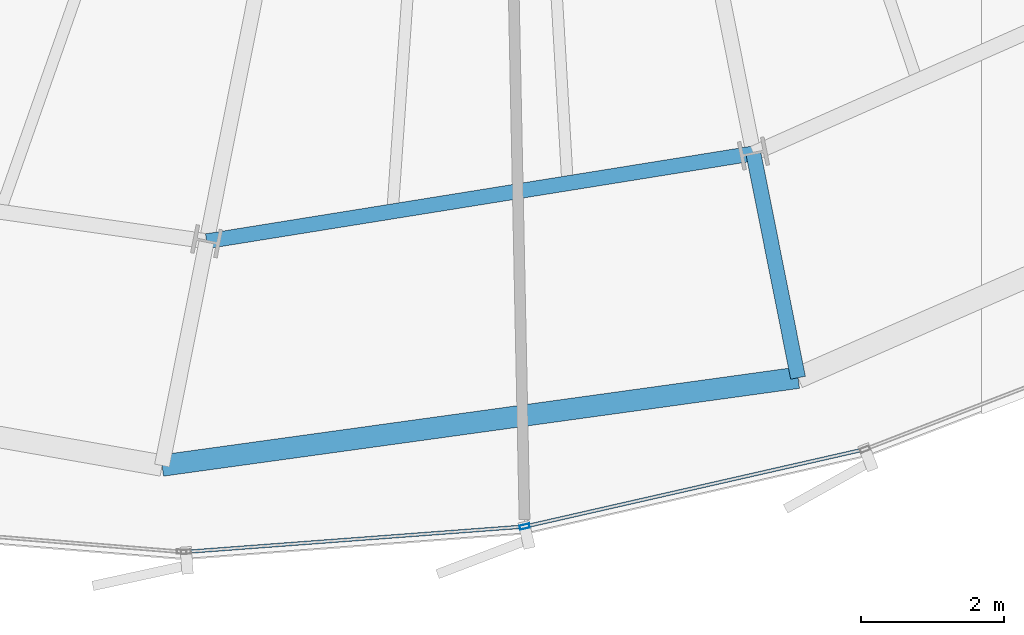
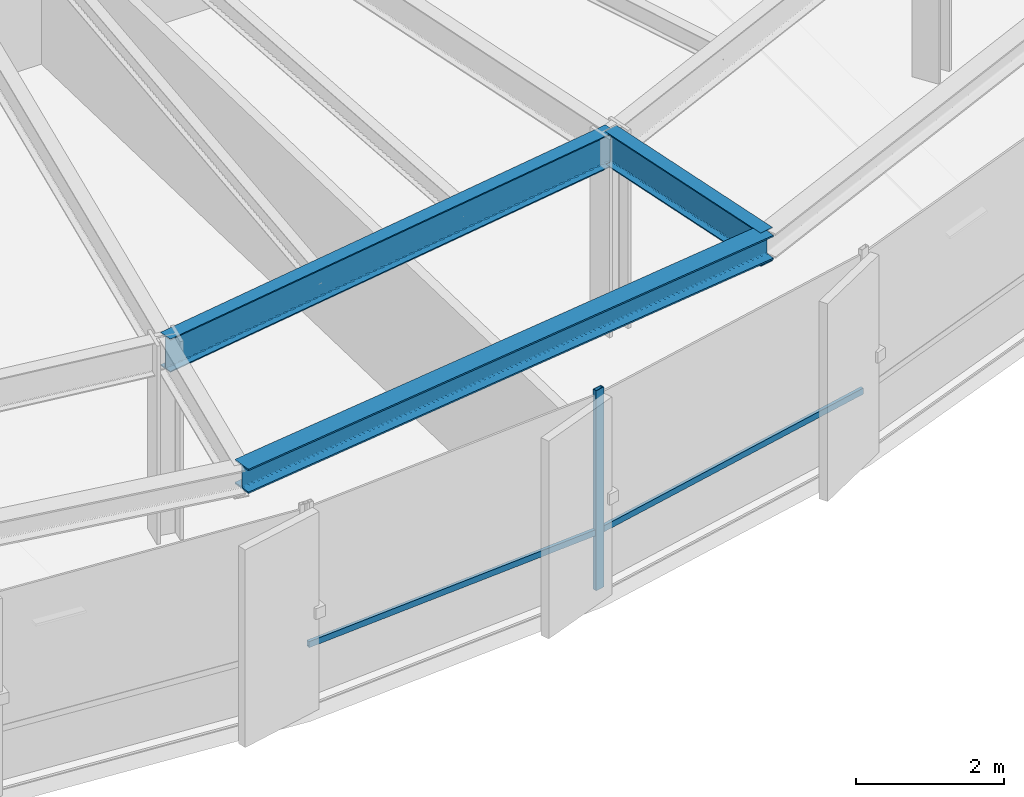
# One storey, part 6 of 35: 3 beams, 3 members, 1 element without a shape of its own.
"""IFC4 building model written with IfcOpenShell, lengths in metres."""

from ifc_helpers import new_model, si_unit, direction, frame, origin, origin_2d, place, context, subcontext, project, spatial, hollow_rectangle, i_section, extrude, source, transform, mapped, material, layer, layer_set, material_profile, profile_set, type_object, element, aggregate, save


model = new_model("IFC4")

# Units and contexts
model_context = context("Model", 3, precision=1e-05, world=origin(), true_north=direction((0.0, 1.0)))
body_context = subcontext(model_context, "Body", "Model", "MODEL_VIEW")
ifc_project = project(units=[si_unit("LENGTHUNIT", "METRE"), si_unit("AREAUNIT", "SQUARE_METRE"), si_unit("VOLUMEUNIT", "CUBIC_METRE"), si_unit("PLANEANGLEUNIT", "RADIAN"), si_unit("MASSUNIT", "GRAM", prefix="KILO"), si_unit("THERMODYNAMICTEMPERATUREUNIT", "KELVIN")], contexts=[model_context])

# Site, building, storey
site_placement = place(None, origin())
site = spatial("IfcSite", under=ifc_project, at=site_placement, CompositionType="ELEMENT")
building_placement = place(site_placement, origin())
building = spatial("IfcBuilding", under=site, at=building_placement, Name="Kethvar Cultural Tower", CompositionType="ELEMENT")
storey_placement = place(building_placement, frame((0.0, 0.0, 135.89990234375)))
storey = spatial("IfcBuildingStorey", under=building, at=storey_placement, Name="L34", CompositionType="ELEMENT", Elevation=135.89990234375)

# Beams
ifc_material_1 = material(Name="Steel S355J2", Category="steel")
ifc_material_profile_1 = material_profile(ifc_material_1, i_section(OverallWidth=0.2099609375, OverallDepth=0.550048828125, WebThickness=0.010986328125, FlangeThickness=0.01708984375, FilletRadius=0.02392578125, at=origin_2d()), Name="Steel S355J2 — IPE550")
ifc_profile_set_1 = profile_set([ifc_material_profile_1], Name="Steel S355J2 — IPE550")
beam_type_1 = type_object("IfcBeamType", Name="BM-IPE550", PredefinedType="BEAM", material=ifc_profile_set_1)
shared_shape_1 = source(origin(), body_context, "Body", "SweptSolid", [
    extrude(i_section(OverallWidth=0.2099609375, OverallDepth=0.550048828125, WebThickness=0.010986328125, FlangeThickness=0.01708984375, FilletRadius=0.02392578125, at=origin_2d()), origin(), (0.0, 0.0, 1.0), 3.2001953125),
])
beam_1_placement = place(storey_placement, frame((50.50341796875, 9.182373046875, 3.023193359375), z_axis=(0.195074368086, -0.980788453702, 0.0), x_axis=(0.980788453702, 0.195074368086, 0.0)))
element("IfcBeam", 1, at=beam_1_placement, inside=storey, type_object=beam_type_1, Name="L34 Perimeter Cantilever Beam RC-13", PredefinedType="BEAM", context=body_context, shape_type="MappedRepresentation", body=[
    mapped(shared_shape_1, transform((0.0, 0.0, 0.0), scale=1.0)),
])
shared_shape_2 = source(origin(), body_context, "Body", "SweptSolid", [
    extrude(i_section(OverallWidth=0.2099609375, OverallDepth=0.550048828125, WebThickness=0.010986328125, FlangeThickness=0.01708984375, FilletRadius=0.02392578125, at=origin_2d()), origin(), (0.0, 0.0, 1.0), 7.749267578125),
])
beam_2_placement = place(storey_placement, frame((42.852294921875, 7.95361328125, 3.023193359375), z_axis=(0.987348257569, 0.158566762831, 0.0), x_axis=(-0.158566762831, 0.987348257569, 0.0)))
element("IfcBeam", 2, at=beam_2_placement, inside=storey, type_object=beam_type_1, Name="L34 Column Ring Tie Beam CR-12", PredefinedType="BEAM", context=body_context, shape_type="MappedRepresentation", body=[
    mapped(shared_shape_2, transform((0.0, 0.0, 0.0), scale=1.0)),
])
ifc_material_profile_2 = material_profile(ifc_material_1, i_section(OverallWidth=0.300048828125, OverallDepth=0.39990234375, WebThickness=0.013427734375, FlangeThickness=0.02392578125, FilletRadius=0.027099609375, at=origin_2d()), Name="Steel S355J2 — HEB400")
ifc_profile_set_2 = profile_set([ifc_material_profile_2], Name="Steel S355J2 — HEB400")
beam_type_2 = type_object("IfcBeamType", Name="BM-SP400", PredefinedType="SPANDREL", material=ifc_profile_set_2)
shared_shape_3 = source(origin(), body_context, "Body", "SweptSolid", [
    extrude(i_section(OverallWidth=0.300048828125, OverallDepth=0.39990234375, WebThickness=0.013427734375, FlangeThickness=0.02392578125, FilletRadius=0.027099609375, at=origin_2d()), origin(), (0.0, 0.0, 1.0), 8.984130859375),
])
beam_3_placement = place(storey_placement, frame((42.22802734375, 4.81494140625, 3.09814453125), z_axis=(0.990602728928, 0.136770733127, 0.0), x_axis=(-0.136770733127, 0.990602728928, 0.0)))
element("IfcBeam", 3, at=beam_3_placement, inside=storey, type_object=beam_type_2, Name="L34 Perimeter Spandrel Beam SP-12", PredefinedType="SPANDREL", context=body_context, shape_type="MappedRepresentation", body=[
    mapped(shared_shape_3, transform((0.0, 0.0, 0.0), scale=1.0)),
])

# Curtain wall, members
ifc_material_2 = material(Name="Aluminium 6063-T6", Category="aluminium")
ifc_layer = layer(ifc_material_2, 0.179931640625, Name="Aluminium 6063-T6", Category="aluminium")
ifc_layer_set = layer_set([ifc_layer], Name="Aluminium 6063-T6 (180 mm)")
curtain_wall_type = type_object("IfcCurtainWallType", Name="CW-SYS-04-Z34", PredefinedType="NOTDEFINED", material=ifc_layer_set)
curtain_wall_placement = place(storey_placement, origin())
curtain_wall = element("IfcCurtainWall", 4, at=curtain_wall_placement, inside=storey, type_object=curtain_wall_type, Name="L34 Curtain Wall Run 05", PredefinedType="NOTDEFINED")
ifc_material_profile_3 = material_profile(ifc_material_2, hollow_rectangle(XDim=0.06005859375, YDim=0.139892578125, WallThickness=0.0048828125, at=origin_2d()), Name="Aluminium 6063-T6 — RHS140x60x5")
ifc_profile_set_3 = profile_set([ifc_material_profile_3], Name="Aluminium 6063-T6 — RHS140x60x5")
member_type_1 = type_object("IfcMemberType", Name="CW-SYS-04-Z34-MUL", PredefinedType="MULLION", material=ifc_profile_set_3)
shared_shape_4 = source(origin(), body_context, "Body", "SweptSolid", [
    extrude(hollow_rectangle(XDim=0.06005859375, YDim=0.139892578125, WallThickness=0.0048828125, at=origin_2d()), origin(), (0.0, 0.0, 1.0), 3.300048828125),
])
member_1_placement = place(storey_placement, frame((47.302001953125, 3.960693359375, 0.0), z_axis=(0.0, 0.0, 1.0), x_axis=(-0.221735708772, 0.975106802076, 0.0)))
member_1 = element("IfcMember", 5, at=member_1_placement, type_object=member_type_1, Name="CW-L34-R05 Mullion 2", PredefinedType="MULLION", context=body_context, shape_type="MappedRepresentation", body=[
    mapped(shared_shape_4, transform((0.0, 0.0, 0.0), scale=1.0)),
])
ifc_material_profile_4 = material_profile(ifc_material_2, hollow_rectangle(XDim=0.050048828125, YDim=0.10009765625, WallThickness=0.00390625, at=origin_2d()), Name="Aluminium 6063-T6 — RHS100x50x4")
ifc_profile_set_4 = profile_set([ifc_material_profile_4], Name="Aluminium 6063-T6 — RHS100x50x4")
member_type_2 = type_object("IfcMemberType", Name="CW-SYS-04-Z34-TRN", PredefinedType="USERDEFINED", material=ifc_profile_set_4)
shared_shape_5 = source(origin(), body_context, "Body", "SweptSolid", [
    extrude(hollow_rectangle(XDim=0.050048828125, YDim=0.10009765625, WallThickness=0.00390625, at=origin_2d()), origin(), (0.0, 0.0, 1.0), 4.719970703125),
])
member_2_placement = place(storey_placement, frame((42.568359375, 3.607421875, 0.9501953125), z_axis=(0.997210582289, 0.074639497393, 0.0), x_axis=(-0.074639497393, 0.997210582289, 0.0)))
member_2 = element("IfcMember", 6, at=member_2_placement, type_object=member_type_2, Name="CW-L34-R05 Transom 1", ObjectType="TRANSOM", PredefinedType="USERDEFINED", context=body_context, shape_type="MappedRepresentation", body=[
    mapped(shared_shape_5, transform((0.0, 0.0, 0.0), scale=1.0)),
])
shared_shape_6 = source(origin(), body_context, "Body", "SweptSolid", [
    extrude(hollow_rectangle(XDim=0.050048828125, YDim=0.10009765625, WallThickness=0.00390625, at=origin_2d()), origin(), (0.0, 0.0, 1.0), 4.812744140625),
])
member_3_placement = place(storey_placement, frame((47.343994140625, 3.97021484375, 0.9501953125), z_axis=(0.975106936631, 0.221735117054, 0.0), x_axis=(-0.221735117054, 0.975106936631, 0.0)))
member_3 = element("IfcMember", 7, at=member_3_placement, type_object=member_type_2, Name="CW-L34-R05 Transom 2", ObjectType="TRANSOM", PredefinedType="USERDEFINED", context=body_context, shape_type="MappedRepresentation", body=[
    mapped(shared_shape_6, transform((0.0, 0.0, 0.0), scale=1.0)),
])
aggregate(curtain_wall, [member_1, member_2, member_3])

save(model, "model.ifc")
